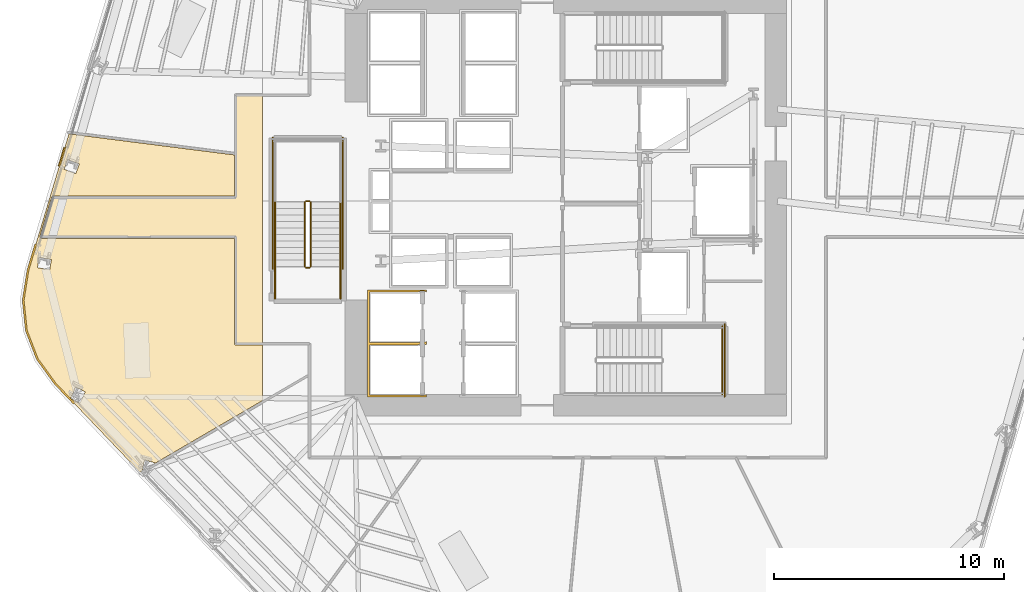
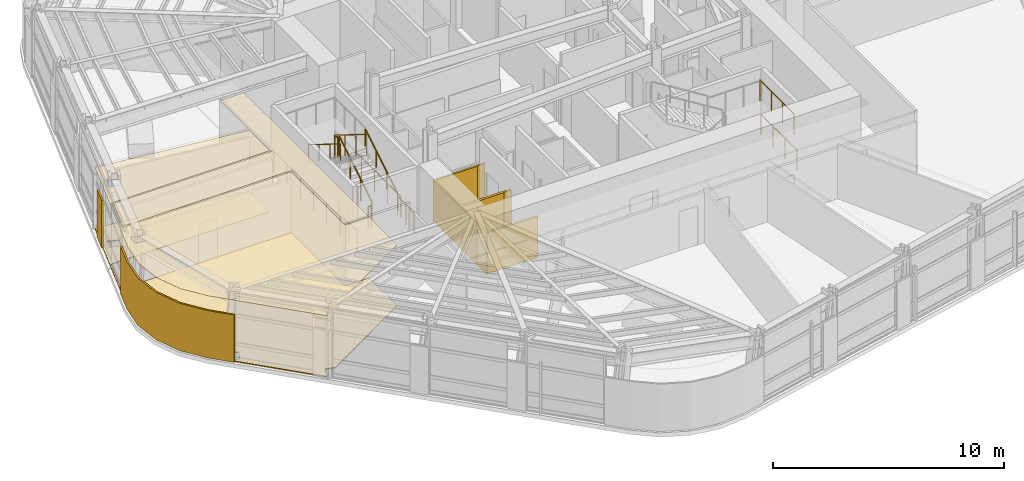
# One storey, part 13 of 17: 12 railings, 6 coverings.
"""IFC4 building model written with IfcOpenShell, lengths in metres."""

from ifc_helpers import new_model, si_unit, direction, frame, origin, origin_2d, place, context, subcontext, project, spatial, polyline, circle, outline, extrude, material, layer, layer_set, type_object, element, save


model = new_model("IFC4")

# Units and contexts
model_context = context("Model", 3, precision=1e-05, world=origin(), true_north=direction((0.0, 1.0)))
body_context = subcontext(model_context, "Body", "Model", "MODEL_VIEW")
ifc_project = project(units=[si_unit("LENGTHUNIT", "METRE"), si_unit("AREAUNIT", "SQUARE_METRE"), si_unit("VOLUMEUNIT", "CUBIC_METRE"), si_unit("PLANEANGLEUNIT", "RADIAN"), si_unit("MASSUNIT", "GRAM", prefix="KILO")], contexts=[model_context])

# Site, building, storey
site_placement = place(None, origin())
site = spatial("IfcSite", under=ifc_project, at=site_placement, CompositionType="ELEMENT")
building_placement = place(site_placement, origin())
building = spatial("IfcBuilding", under=site, at=building_placement, Name="Valkerne Bourse Tower", CompositionType="ELEMENT")
storey_placement = place(building_placement, frame((0.0, 0.0, 82.0)))
storey = spatial("IfcBuildingStorey", under=building, at=storey_placement, Name="L20", CompositionType="ELEMENT", Elevation=82.0)

# Coverings
ifc_material_1 = material(Name="Mineral Fiber Acoustic Ceiling Tile", Category="acoustic")
ifc_layer_1 = layer(ifc_material_1, 0.02490234375)
ifc_layer_set_1 = layer_set([ifc_layer_1], Name="Mineral Fiber Acoustic Ceiling Tile")
covering_type_1 = type_object("IfcCoveringType", Name="COV-CEIL-ACT", PredefinedType="CEILING", material=ifc_layer_set_1)
covering_1_placement = place(storey_placement, frame((0.0, 0.0, 3.22998046875)))
element("IfcCovering", 1, at=covering_1_placement, inside=storey, type_object=covering_type_1, Name="L20 Suspended Ceiling 08", PredefinedType="CEILING", context=body_context, shape_type="SweptSolid", body=[
    extrude(outline(polyline([(23.34619140625, 21.369140625), (23.208251953125, 22.681640625), (23.416015625, 23.993896484375), (25.192138671875, 29.920654296875), (32.381103515625, 29.00537109375), (32.381103515625, 27.218994140625), (24.487548828125, 27.217041015625), (24.456787109375, 27.20068359375), (24.43798828125, 27.17041015625), (23.927978515625, 25.46923828125), (23.92919921875, 25.427001953125), (23.95361328125, 25.39404296875), (23.993896484375, 25.381103515625), (32.381103515625, 25.381103515625), (32.381103515625, 20.799560546875), (32.390380859375, 20.764892578125), (32.414794921875, 20.740478515625), (32.449462890625, 20.73095703125), (33.60009765625, 20.73095703125), (33.60009765625, 18.31982421875), (28.917236328125, 15.588623046875), (28.926025390625, 15.622802734375), (28.92431640625, 15.62548828125), (28.489013671875, 15.735595703125), (28.369140625, 15.268798828125), (28.275146484375, 15.214111328125), (24.60009765625, 19.062255859375), (23.819091796875, 20.13720703125), (23.34619140625, 21.369140625)]), holes=[polyline([(25.89990234375, 18.7041015625), (25.898681640625, 18.707275390625), (25.49169921875, 18.896728515625), (25.262451171875, 18.410400390625), (25.263671875, 18.4072265625), (25.670654296875, 18.2177734375), (25.89990234375, 18.7041015625)]), polyline([(24.43017578125, 24.455322265625), (23.8994140625, 24.548095703125), (23.8212890625, 24.10693359375), (23.821533203125, 24.103515625), (24.352294921875, 24.0107421875), (24.430419921875, 24.4521484375), (24.43017578125, 24.455322265625)]), polyline([(25.64599609375, 28.614013671875), (25.14208984375, 28.8046875), (24.982421875, 28.3857421875), (24.982177734375, 28.3828125), (25.486083984375, 28.19189453125), (25.645751953125, 28.61083984375), (25.64599609375, 28.614013671875)])]), origin(), (0.0, 0.0, 1.0), 0.02490234375),
])
ifc_material_2 = material(Name="Bronze Anodised Aluminium AA 6063-T6", Category="aluminium")
ifc_layer_2 = layer(ifc_material_2, 0.030029296875)
ifc_layer_set_2 = layer_set([ifc_layer_2], Name="Bronze Anodised Aluminium AA 6063-T6")
covering_type_2 = type_object("IfcCoveringType", Name="COV-CEIL-METAL", PredefinedType="CEILING", material=ifc_layer_set_2)
covering_2_placement = place(storey_placement, frame((0.0, 0.0, 3.22998046875)))
element("IfcCovering", 2, at=covering_2_placement, inside=storey, type_object=covering_type_2, Name="L20 Suspended Ceiling 02", PredefinedType="CEILING", context=body_context, shape_type="SweptSolid", body=[
    extrude(outline(polyline([(32.4541015625, 20.803955078125), (32.4541015625, 25.4541015625), (23.999755859375, 25.4541015625), (24.5068359375, 27.14599609375), (32.4541015625, 27.14599609375), (32.4541015625, 31.595947265625), (33.60009765625, 31.595947265625), (33.60009765625, 20.803955078125), (32.4541015625, 20.803955078125)])), origin(), (0.0, 0.0, 1.0), 0.02490234375),
])
ifc_layer_3 = layer(ifc_material_2, 0.06005859375)
ifc_layer_set_3 = layer_set([ifc_layer_3], Name="Bronze Anodised Aluminium AA 6063-T6")
covering_type_3 = type_object("IfcCoveringType", Name="COV-CRN-ALUM", PredefinedType="CLADDING", material=ifc_layer_set_3)
covering_3_placement = place(storey_placement, origin())
element("IfcCovering", 3, at=covering_3_placement, inside=storey, type_object=covering_type_3, Name="L20 Wind-Shaped Corner Aluminium Cladding 09", PredefinedType="CLADDING", context=body_context, shape_type="SweptSolid", body=[
    extrude(outline(polyline([(24.56640625, 19.033935546875), (23.780029296875, 20.1162109375), (23.302978515625, 21.35888671875), (23.163818359375, 22.682861328125), (23.373046875, 24.00390625), (23.7119140625, 25.134521484375), (23.788818359375, 25.11181640625), (23.451416015625, 23.986083984375), (23.244384765625, 22.6806640625), (23.38134765625, 21.377685546875), (23.85107421875, 20.154541015625), (24.627685546875, 19.08544921875), (25.439453125, 18.2353515625), (25.381591796875, 18.180419921875), (24.56640625, 19.033935546875)])), origin(), (0.0, 0.0, 1.0), 2.5),
])
covering_4_placement = place(storey_placement, origin())
element("IfcCovering", 4, at=covering_4_placement, inside=storey, type_object=covering_type_3, Name="L20 Wind-Shaped Corner Aluminium Cladding 10", PredefinedType="CLADDING", context=body_context, shape_type="SweptSolid", body=[
    extrude(outline(polyline([(24.97021484375, 29.3330078125), (25.046875, 29.310302734375), (24.805908203125, 28.505615234375), (24.72900390625, 28.5283203125), (24.97021484375, 29.3330078125)])), origin(), (0.0, 0.0, 1.0), 2.5),
])
ifc_material_3 = material(Name="Galvanised Painted Steel", Category="steel")
ifc_layer_4 = layer(ifc_material_3, 0.044921875)
ifc_layer_set_4 = layer_set([ifc_layer_4], Name="Galvanised Painted Steel")
covering_type_4 = type_object("IfcCoveringType", Name="COV-FLR-RAF", PredefinedType="FLOORING", material=ifc_layer_set_4)
covering_5_placement = place(storey_placement, origin())
element("IfcCovering", 5, at=covering_5_placement, inside=storey, type_object=covering_type_4, Name="L20 Floor Finish 08", PredefinedType="FLOORING", context=body_context, shape_type="SweptSolid", body=[
    extrude(outline(polyline([(23.34619140625, 21.369140625), (23.208251953125, 22.681640625), (23.416015625, 23.993896484375), (25.192138671875, 29.920654296875), (32.381103515625, 29.00537109375), (32.381103515625, 27.218994140625), (24.487548828125, 27.217041015625), (24.456787109375, 27.20068359375), (24.43798828125, 27.17041015625), (23.927978515625, 25.46923828125), (23.92919921875, 25.427001953125), (23.95361328125, 25.39404296875), (23.993896484375, 25.381103515625), (32.381103515625, 25.381103515625), (32.381103515625, 20.799560546875), (32.390380859375, 20.764892578125), (32.414794921875, 20.740478515625), (32.449462890625, 20.73095703125), (33.60009765625, 20.73095703125), (33.60009765625, 18.31982421875), (28.917236328125, 15.588623046875), (28.926025390625, 15.622802734375), (28.92431640625, 15.62548828125), (28.489013671875, 15.735595703125), (28.369140625, 15.268798828125), (28.275146484375, 15.214111328125), (24.60009765625, 19.062255859375), (23.819091796875, 20.13720703125), (23.34619140625, 21.369140625)]), holes=[polyline([(25.89990234375, 18.7041015625), (25.898681640625, 18.707275390625), (25.49169921875, 18.896728515625), (25.262451171875, 18.410400390625), (25.263671875, 18.4072265625), (25.670654296875, 18.2177734375), (25.89990234375, 18.7041015625)]), polyline([(24.43017578125, 24.455322265625), (23.8994140625, 24.548095703125), (23.8212890625, 24.10693359375), (23.821533203125, 24.103515625), (24.352294921875, 24.0107421875), (24.430419921875, 24.4521484375), (24.43017578125, 24.455322265625)]), polyline([(25.64599609375, 28.614013671875), (25.14208984375, 28.8046875), (24.982421875, 28.3857421875), (24.982177734375, 28.3828125), (25.486083984375, 28.19189453125), (25.645751953125, 28.61083984375), (25.64599609375, 28.614013671875)])]), origin(), (0.0, 0.0, 1.0), 0.044921875),
])
ifc_material_4 = material(Name="Gypsum Shaftwall Liner Board", Category="gypsum")
ifc_layer_5 = layer(ifc_material_4, 0.080078125)
ifc_layer_set_5 = layer_set([ifc_layer_5], Name="Gypsum Shaftwall Liner Board")
covering_type_5 = type_object("IfcCoveringType", Name="COV-SHF-CLAD", PredefinedType="CLADDING", material=ifc_layer_set_5)
covering_6_placement = place(storey_placement, origin())
element("IfcCovering", 6, at=covering_6_placement, inside=storey, type_object=covering_type_5, Name="L20 Hoistway & Riser Shaftwall Liner 01", PredefinedType="CLADDING", context=body_context, shape_type="SweptSolid", body=[
    extrude(outline(polyline([(38.169921875, 23.1298828125), (40.72998046875, 23.1298828125), (40.72998046875, 23.052001953125), (40.72216796875, 23.0556640625), (40.6806640625, 23.070556640625), (40.6376953125, 23.081298828125), (40.593994140625, 23.087890625), (40.550048828125, 23.090087890625), (40.505859375, 23.087890625), (40.462158203125, 23.081298828125), (40.41943359375, 23.070556640625), (40.377685546875, 23.0556640625), (40.344482421875, 23.0400390625), (38.260009765625, 23.0400390625), (38.260009765625, 20.860107421875), (40.456787109375, 20.860107421875), (40.462158203125, 20.858642578125), (40.505859375, 20.852294921875), (40.550048828125, 20.85009765625), (40.593994140625, 20.852294921875), (40.6376953125, 20.858642578125), (40.6806640625, 20.869384765625), (40.72216796875, 20.88427734375), (40.72998046875, 20.887939453125), (40.72998046875, 20.830078125), (40.72998046875, 20.77001953125), (40.72998046875, 20.752197265625), (40.72216796875, 20.755615234375), (40.6806640625, 20.7705078125), (40.6376953125, 20.781494140625), (40.593994140625, 20.787841796875), (40.550048828125, 20.7900390625), (40.505859375, 20.787841796875), (40.462158203125, 20.781494140625), (40.41943359375, 20.7705078125), (40.377685546875, 20.755615234375), (40.344482421875, 20.739990234375), (38.260009765625, 20.739990234375), (38.260009765625, 18.56005859375), (40.456787109375, 18.56005859375), (40.462158203125, 18.55859375), (40.505859375, 18.55224609375), (40.550048828125, 18.550048828125), (40.593994140625, 18.55224609375), (40.6376953125, 18.55859375), (40.6806640625, 18.5693359375), (40.72216796875, 18.584228515625), (40.72998046875, 18.587890625), (40.72998046875, 18.469970703125), (38.169921875, 18.469970703125), (38.169921875, 20.77001953125), (38.169921875, 20.830078125), (38.169921875, 23.1298828125)])), origin(), (0.0, 0.0, 1.0), 2.179931640625),
])

# Railings
railing_type_1 = type_object("IfcRailingType", Name="RLG-ST-GUARD-1120", PredefinedType="GUARDRAIL", material=ifc_material_3)
railing_1_placement = place(storey_placement, frame((53.60009765625, 18.60009765625, 1.89990234375)))
element("IfcRailing", 7, at=railing_1_placement, inside=storey, type_object=railing_type_1, Name="L20 ST-1 stair guard 5", PredefinedType="GUARDRAIL", context=body_context, shape_type="SweptSolid", body=[
    extrude(circle(Radius=0.02392578125, at=origin_2d()), frame((0.0, 0.0, 1.09619140625), z_axis=(0.0, 1.0, 0.0), x_axis=(-1.0, 0.0, 0.0)), (0.0, 0.0, 1.0), 2.949951171875),
    extrude(circle(Radius=0.02099609375, at=origin_2d()), origin(), (0.0, 0.0, 1.0), 1.072021484375),
    extrude(circle(Radius=0.02099609375, at=origin_2d()), frame((0.0, 0.9833984375, 0.0)), (0.0, 0.0, 1.0), 1.072021484375),
    extrude(circle(Radius=0.02099609375, at=origin_2d()), frame((0.0, 1.966552734375, 0.0)), (0.0, 0.0, 1.0), 1.072021484375),
    extrude(circle(Radius=0.02099609375, at=origin_2d()), frame((0.0, 2.949951171875, 0.0)), (0.0, 0.0, 1.0), 1.072021484375),
])
railing_2_placement = place(storey_placement, frame((53.699951171875, 18.5, 0.0)))
element("IfcRailing", 8, at=railing_2_placement, inside=storey, type_object=railing_type_1, Name="L20 ST-1 stair guard 12", PredefinedType="GUARDRAIL", context=body_context, shape_type="SweptSolid", body=[
    extrude(circle(Radius=0.02392578125, at=origin_2d()), frame((0.0, 0.0, 1.09619140625), z_axis=(0.0, 1.0, 0.0), x_axis=(-1.0, 0.0, 0.0)), (0.0, 0.0, 1.0), 3.14990234375),
    extrude(circle(Radius=0.02099609375, at=origin_2d()), origin(), (0.0, 0.0, 1.0), 1.072021484375),
    extrude(circle(Radius=0.02099609375, at=origin_2d()), frame((0.0, 1.050048828125, 0.0)), (0.0, 0.0, 1.0), 1.072021484375),
    extrude(circle(Radius=0.02099609375, at=origin_2d()), frame((0.0, 2.099853515625, 0.0)), (0.0, 0.0, 1.0), 1.072021484375),
    extrude(circle(Radius=0.02099609375, at=origin_2d()), frame((0.0, 3.14990234375, 0.0)), (0.0, 0.0, 1.0), 1.072021484375),
])
railing_3_placement = place(storey_placement, frame((35.699951171875, 24.14990234375, 0.172607421875)))
element("IfcRailing", 9, at=railing_3_placement, inside=storey, type_object=railing_type_1, Name="L20 ST-3 stair guard 1", PredefinedType="GUARDRAIL", context=body_context, shape_type="SweptSolid", body=[
    extrude(circle(Radius=0.02392578125, at=origin_2d()), frame((0.0, 0.0, 1.09619140625), z_axis=(0.0, 0.851089632645, 0.525020415988), x_axis=(-1.0, 0.0, 0.0)), (0.0, 0.0, 1.0), 3.2900390625),
    extrude(circle(Radius=0.02099609375, at=origin_2d()), origin(), (0.0, 0.0, 1.0), 1.072021484375),
    extrude(circle(Radius=0.02099609375, at=origin_2d()), frame((0.0, 0.933349609375, 0.57568359375)), (0.0, 0.0, 1.0), 1.072021484375),
    extrude(circle(Radius=0.02099609375, at=origin_2d()), frame((0.0, 1.86669921875, 1.151611328125)), (0.0, 0.0, 1.0), 1.072021484375),
    extrude(circle(Radius=0.02099609375, at=origin_2d()), frame((0.0, 2.800048828125, 1.727294921875)), (0.0, 0.0, 1.0), 1.072021484375),
])
railing_4_placement = place(storey_placement, frame((35.64990234375, 27.0, 1.89990234375)))
element("IfcRailing", 10, at=railing_4_placement, inside=storey, type_object=railing_type_1, Name="L20 ST-3 stair guard 2", PredefinedType="GUARDRAIL", context=body_context, shape_type="SweptSolid", body=[
    extrude(circle(Radius=0.02392578125, at=origin_2d()), frame((0.0, 0.0, 1.09619140625), z_axis=(-1.0, 0.0, 0.0), x_axis=(0.0, -1.0, 0.0)), (0.0, 0.0, 1.0), 0.14990234375),
    extrude(circle(Radius=0.02099609375, at=origin_2d()), origin(), (0.0, 0.0, 1.0), 1.072021484375),
    extrude(circle(Radius=0.02099609375, at=origin_2d()), frame((-0.14990234375, 0.0, 0.0)), (0.0, 0.0, 1.0), 1.072021484375),
])
railing_5_placement = place(storey_placement, frame((35.449951171875, 26.949951171875, 2.07275390625)))
element("IfcRailing", 11, at=railing_5_placement, inside=storey, type_object=railing_type_1, Name="L20 ST-3 stair guard 6", PredefinedType="GUARDRAIL", context=body_context, shape_type="SweptSolid", body=[
    extrude(circle(Radius=0.02392578125, at=origin_2d()), frame((0.0, 0.0, 1.09619140625), z_axis=(0.0, -0.851089632645, 0.525020415988), x_axis=(1.0, 0.0, 0.0)), (0.0, 0.0, 1.0), 3.2900390625),
    extrude(circle(Radius=0.02099609375, at=origin_2d()), origin(), (0.0, 0.0, 1.0), 1.072021484375),
    extrude(circle(Radius=0.02099609375, at=origin_2d()), frame((0.0, -0.933349609375, 0.57568359375)), (0.0, 0.0, 1.0), 1.072021484375),
    extrude(circle(Radius=0.02099609375, at=origin_2d()), frame((0.0, -1.86669921875, 1.151611328125)), (0.0, 0.0, 1.0), 1.072021484375),
    extrude(circle(Radius=0.02099609375, at=origin_2d()), frame((0.0, -2.800048828125, 1.727294921875)), (0.0, 0.0, 1.0), 1.072021484375),
])
railing_6_placement = place(storey_placement, frame((35.64990234375, 24.10009765625, 0.0)))
element("IfcRailing", 12, at=railing_6_placement, inside=storey, type_object=railing_type_1, Name="L20 ST-3 stair guard 7", PredefinedType="GUARDRAIL", context=body_context, shape_type="SweptSolid", body=[
    extrude(circle(Radius=0.02392578125, at=origin_2d()), frame((0.0, 0.0, 1.09619140625), z_axis=(-1.0, 0.0, 0.0), x_axis=(0.0, -1.0, 0.0)), (0.0, 0.0, 1.0), 0.14990234375),
    extrude(circle(Radius=0.02099609375, at=origin_2d()), origin(), (0.0, 0.0, 1.0), 1.072021484375),
    extrude(circle(Radius=0.02099609375, at=origin_2d()), frame((-0.14990234375, 0.0, 0.0)), (0.0, 0.0, 1.0), 1.072021484375),
])
for number, where, name in (
    (13, (37.0, 22.75, 0.0), "L20 ST-3 stair guard 8"),
    (14, (34.14990234375, 22.75, 0.0), "L20 ST-3 stair guard 9"),
):
    element("IfcRailing", number, at=place(storey_placement, frame(where)), inside=storey, type_object=railing_type_1, Name=name, PredefinedType="GUARDRAIL", context=body_context, shape_type="SweptSolid", body=[
        extrude(circle(Radius=0.02392578125, at=origin_2d()), frame((0.0, 0.0, 1.09619140625), z_axis=(0.0, 1.0, 0.0), x_axis=(-1.0, 0.0, 0.0)), (0.0, 0.0, 1.0), 1.39990234375),
        extrude(circle(Radius=0.02099609375, at=origin_2d()), origin(), (0.0, 0.0, 1.0), 1.072021484375),
        extrude(circle(Radius=0.02099609375, at=origin_2d()), frame((0.0, 0.699951171875, 0.0)), (0.0, 0.0, 1.0), 1.072021484375),
        extrude(circle(Radius=0.02099609375, at=origin_2d()), frame((0.0, 1.39990234375, 0.0)), (0.0, 0.0, 1.0), 1.072021484375),
    ])
for number, where, name in (
    (15, (37.10009765625, 24.050048828125, 0.0), "L20 ST-3 stair guard 10"),
    (16, (34.050048828125, 24.050048828125, 0.0), "L20 ST-3 stair guard 11"),
):
    element("IfcRailing", number, at=place(storey_placement, frame(where)), inside=storey, type_object=railing_type_1, Name=name, PredefinedType="GUARDRAIL", context=body_context, shape_type="SweptSolid", body=[
        extrude(circle(Radius=0.02392578125, at=origin_2d()), frame((0.0, 0.0, 1.09619140625), z_axis=(0.0, 1.0, 0.0), x_axis=(-1.0, 0.0, 0.0)), (0.0, 0.0, 1.0), 5.699951171875),
        extrude(circle(Radius=0.02099609375, at=origin_2d()), origin(), (0.0, 0.0, 1.0), 1.072021484375),
        extrude(circle(Radius=0.02099609375, at=origin_2d()), frame((0.0, 1.139892578125, 0.0)), (0.0, 0.0, 1.0), 1.072021484375),
        extrude(circle(Radius=0.02099609375, at=origin_2d()), frame((0.0, 2.280029296875, 0.0)), (0.0, 0.0, 1.0), 1.072021484375),
        extrude(circle(Radius=0.02099609375, at=origin_2d()), frame((0.0, 3.419921875, 0.0)), (0.0, 0.0, 1.0), 1.072021484375),
        extrude(circle(Radius=0.02099609375, at=origin_2d()), frame((0.0, 4.56005859375, 0.0)), (0.0, 0.0, 1.0), 1.072021484375),
        extrude(circle(Radius=0.02099609375, at=origin_2d()), frame((0.0, 5.699951171875, 0.0)), (0.0, 0.0, 1.0), 1.072021484375),
    ])
ifc_material_5 = material(Name="Stainless Steel AISI 316", Category="steel")
railing_type_2 = type_object("IfcRailingType", Name="RLG-ST-HANDRAIL-900", PredefinedType="HANDRAIL", material=ifc_material_5)
railing_7_placement = place(storey_placement, frame((37.0, 24.14990234375, 0.345458984375)))
element("IfcRailing", 17, at=railing_7_placement, inside=storey, type_object=railing_type_2, Name="L20 ST-3 stair handrail 1", PredefinedType="HANDRAIL", context=body_context, shape_type="SweptSolid", body=[
    extrude(circle(Radius=0.02392578125, at=origin_2d()), frame((0.0, 0.0, 0.8759765625), z_axis=(0.0, 0.851089632645, 0.525020415988), x_axis=(-1.0, 0.0, 0.0)), (0.0, 0.0, 1.0), 3.2900390625),
    extrude(circle(Radius=0.02099609375, at=origin_2d()), origin(), (0.0, 0.0, 1.0), 0.851806640625),
    extrude(circle(Radius=0.02099609375, at=origin_2d()), frame((0.0, 0.933349609375, 0.57568359375)), (0.0, 0.0, 1.0), 0.851806640625),
    extrude(circle(Radius=0.02099609375, at=origin_2d()), frame((0.0, 1.86669921875, 1.151611328125)), (0.0, 0.0, 1.0), 0.851806640625),
    extrude(circle(Radius=0.02099609375, at=origin_2d()), frame((0.0, 2.800048828125, 1.727294921875)), (0.0, 0.0, 1.0), 0.851806640625),
])
railing_8_placement = place(storey_placement, frame((34.14990234375, 26.949951171875, 2.245361328125)))
element("IfcRailing", 18, at=railing_8_placement, inside=storey, type_object=railing_type_2, Name="L20 ST-3 stair handrail 2", PredefinedType="HANDRAIL", context=body_context, shape_type="SweptSolid", body=[
    extrude(circle(Radius=0.02392578125, at=origin_2d()), frame((0.0, 0.0, 0.8759765625), z_axis=(0.0, -0.851089632645, 0.525020415988), x_axis=(1.0, 0.0, 0.0)), (0.0, 0.0, 1.0), 3.2900390625),
    extrude(circle(Radius=0.02099609375, at=origin_2d()), origin(), (0.0, 0.0, 1.0), 0.851806640625),
    extrude(circle(Radius=0.02099609375, at=origin_2d()), frame((0.0, -0.933349609375, 0.57568359375)), (0.0, 0.0, 1.0), 0.851806640625),
    extrude(circle(Radius=0.02099609375, at=origin_2d()), frame((0.0, -1.86669921875, 1.151611328125)), (0.0, 0.0, 1.0), 0.851806640625),
    extrude(circle(Radius=0.02099609375, at=origin_2d()), frame((0.0, -2.800048828125, 1.727294921875)), (0.0, 0.0, 1.0), 0.851806640625),
])

save(model, "model.ifc")
